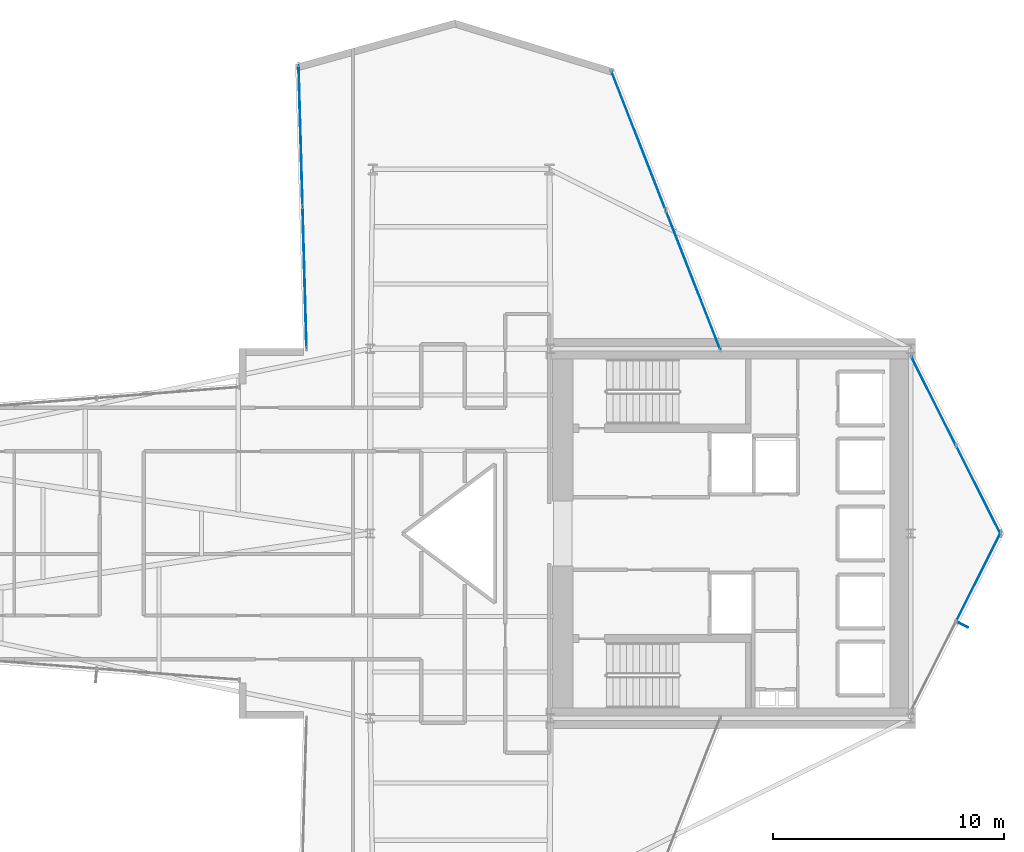
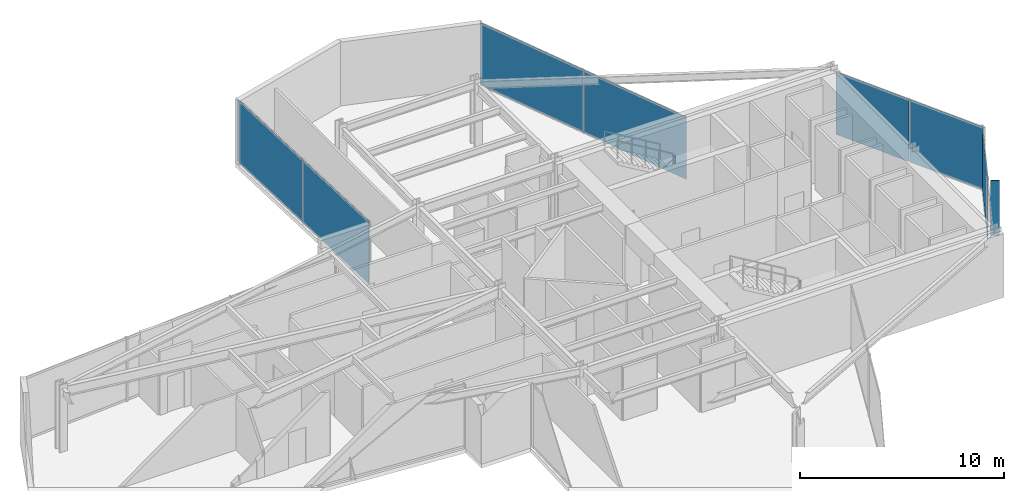
# One storey, part 26 of 30: 8 plates, 4 elements without a shape of their own.
"""IFC4 building model written with IfcOpenShell, lengths in metres."""

from ifc_helpers import new_model, si_unit, direction, frame, origin, origin_2d, place, context, subcontext, project, spatial, rectangle, extrude, material, layer, layer_set, type_object, element, aggregate, save


model = new_model("IFC4")

# Units and contexts
model_context = context("Model", 3, precision=1e-05, world=origin(), true_north=direction((0.0, 1.0)))
body_context = subcontext(model_context, "Body", "Model", "MODEL_VIEW")
ifc_project = project(units=[si_unit("LENGTHUNIT", "METRE"), si_unit("AREAUNIT", "SQUARE_METRE"), si_unit("VOLUMEUNIT", "CUBIC_METRE"), si_unit("PLANEANGLEUNIT", "RADIAN"), si_unit("MASSUNIT", "GRAM", prefix="KILO")], contexts=[model_context])

# Site, building, storey
site_placement = place(None, origin())
site = spatial("IfcSite", under=ifc_project, at=site_placement, CompositionType="ELEMENT")
building_placement = place(site_placement, origin())
building = spatial("IfcBuilding", under=site, at=building_placement, Name="Veymaron Broadcast Tower", CompositionType="ELEMENT")
storey_placement = place(building_placement, frame((0.0, 0.0, 54.0)))
storey = spatial("IfcBuildingStorey", under=building, at=storey_placement, Name="L11", CompositionType="ELEMENT", Elevation=54.0)

# Curtain wall, plate
ifc_material_1 = material(Name="Anodised aluminium AA 6063-T6 and laminated low-E dark glass", Category="aluminium")
ifc_layer_1 = layer(ifc_material_1, 0.179931640625)
ifc_layer_set_1 = layer_set([ifc_layer_1], Name="Anodised aluminium AA 6063-T6 and laminated low-E dark glass")
curtain_wall_type = type_object("IfcCurtainWallType", Name="CW-SYS-02", PredefinedType="NOTDEFINED", material=ifc_layer_set_1)
curtain_wall_1_placement = place(storey_placement, origin())
curtain_wall_1 = element("IfcCurtainWall", 1, at=curtain_wall_1_placement, inside=storey, type_object=curtain_wall_type, Name="L11 dark-glass curtain wall CW-L11-E2-1", PredefinedType="NOTDEFINED")
ifc_material_2 = material(Name="Double-silver solar-control dark glass IGU 32 mm", Category="glass")
ifc_layer_2 = layer(ifc_material_2, 0.031982421875)
ifc_layer_set_2 = layer_set([ifc_layer_2], Name="Double-silver solar-control dark glass IGU 32 mm")
plate_type_1 = type_object("IfcPlateType", Name="CW-PNL-02", PredefinedType="CURTAIN_PANEL", material=ifc_layer_set_2)
plate_1_placement = place(storey_placement, frame((57.53125, 22.126953125, 0.0400390625), z_axis=(0.0, 0.0, 1.0), x_axis=(0.450067269918, 0.892994654267, 0.0)))
plate_1 = element("IfcPlate", 2, at=plate_1_placement, type_object=plate_type_1, Name="CW-L11-E2-1 unitised curtain panel 1", PredefinedType="CURTAIN_PANEL", context=body_context, shape_type="SweptSolid", body=[
    extrude(rectangle(XDim=4.276123046875, YDim=0.031982421875, at=origin_2d()), origin(), (0.0, 0.0, 1.0), 3.72998046875),
])
aggregate(curtain_wall_1, [plate_1])

# Curtain wall, plates
curtain_wall_2_placement = place(storey_placement, origin())
curtain_wall_2 = element("IfcCurtainWall", 3, at=curtain_wall_2_placement, inside=storey, type_object=curtain_wall_type, Name="L11 dark-glass curtain wall CW-L11-E3-1", PredefinedType="NOTDEFINED")
plate_2_placement = place(storey_placement, frame((57.53125, 25.873046875, 0.0400390625), z_axis=(0.0, 0.0, 1.0), x_axis=(-0.450067269918, 0.892994654267, 0.0)))
plate_2 = element("IfcPlate", 4, at=plate_2_placement, type_object=plate_type_1, Name="CW-L11-E3-1 unitised curtain panel 0", PredefinedType="CURTAIN_PANEL", context=body_context, shape_type="SweptSolid", body=[
    extrude(rectangle(XDim=4.276123046875, YDim=0.031982421875, at=origin_2d()), origin(), (0.0, 0.0, 1.0), 3.72998046875),
])
plate_3_placement = place(storey_placement, frame((55.57958984375, 29.7451171875, 0.0400390625), z_axis=(0.0, 0.0, 1.0), x_axis=(-0.450067269918, 0.892994654267, 0.0)))
plate_3 = element("IfcPlate", 5, at=plate_3_placement, type_object=plate_type_1, Name="CW-L11-E3-1 unitised curtain panel 1", PredefinedType="CURTAIN_PANEL", context=body_context, shape_type="SweptSolid", body=[
    extrude(rectangle(XDim=4.276123046875, YDim=0.031982421875, at=origin_2d()), origin(), (0.0, 0.0, 1.0), 3.72998046875),
])
aggregate(curtain_wall_2, [plate_2, plate_3])

curtain_wall_3_placement = place(storey_placement, origin())
curtain_wall_3 = element("IfcCurtainWall", 6, at=curtain_wall_3_placement, inside=storey, type_object=curtain_wall_type, Name="L11 dark-glass curtain wall CW-L11-E5-1", PredefinedType="NOTDEFINED")
plate_4_placement = place(storey_placement, frame((45.173095703125, 34.97509765625, 0.0400390625), z_axis=(0.0, 0.0, 1.0), x_axis=(-0.36429171273, 0.931284890909, 0.0)))
plate_4 = element("IfcPlate", 7, at=plate_4_placement, type_object=plate_type_1, Name="CW-L11-E5-1 unitised curtain panel 0", PredefinedType="CURTAIN_PANEL", context=body_context, shape_type="SweptSolid", body=[
    extrude(rectangle(XDim=6.4384765625, YDim=0.031982421875, at=origin_2d()), origin(), (0.0, 0.0, 1.0), 3.72998046875),
])
plate_5_placement = place(storey_placement, frame((42.8056640625, 41.027099609375, 0.0400390625), z_axis=(0.0, 0.0, 1.0), x_axis=(-0.36429171273, 0.931284890909, 0.0)))
plate_5 = element("IfcPlate", 8, at=plate_5_placement, type_object=plate_type_1, Name="CW-L11-E5-1 unitised curtain panel 1", PredefinedType="CURTAIN_PANEL", context=body_context, shape_type="SweptSolid", body=[
    extrude(rectangle(XDim=6.4384765625, YDim=0.031982421875, at=origin_2d()), origin(), (0.0, 0.0, 1.0), 3.72998046875),
])
aggregate(curtain_wall_3, [plate_4, plate_5])

curtain_wall_4_placement = place(storey_placement, origin())
curtain_wall_4 = element("IfcCurtainWall", 9, at=curtain_wall_4_placement, inside=storey, type_object=curtain_wall_type, Name="L11 dark-glass curtain wall CW-L11-E8-1", PredefinedType="NOTDEFINED")
plate_6_placement = place(storey_placement, frame((28.18603515625, 41.225830078125, 0.0400390625), z_axis=(0.0, 0.0, 1.0), x_axis=(0.028113549573, -0.999604736048, 0.0)))
plate_6 = element("IfcPlate", 10, at=plate_6_placement, type_object=plate_type_1, Name="CW-L11-E8-1 unitised curtain panel 0", PredefinedType="CURTAIN_PANEL", context=body_context, shape_type="SweptSolid", body=[
    extrude(rectangle(XDim=6.09033203125, YDim=0.031982421875, at=origin_2d()), origin(), (0.0, 0.0, 1.0), 3.72998046875),
])
plate_7_placement = place(storey_placement, frame((28.35888671875, 35.077880859375, 0.0400390625), z_axis=(0.0, 0.0, 1.0), x_axis=(0.028113549573, -0.999604736048, 0.0)))
plate_7 = element("IfcPlate", 11, at=plate_7_placement, type_object=plate_type_1, Name="CW-L11-E8-1 unitised curtain panel 1", PredefinedType="CURTAIN_PANEL", context=body_context, shape_type="SweptSolid", body=[
    extrude(rectangle(XDim=6.09033203125, YDim=0.031982421875, at=origin_2d()), origin(), (0.0, 0.0, 1.0), 3.72998046875),
])
aggregate(curtain_wall_4, [plate_6, plate_7])

# Plate
ifc_material_3 = material(Name="Dark-anodised aluminium AA 6061-T6", Category="aluminium")
ifc_layer_3 = layer(ifc_material_3, 0.034912109375)
ifc_layer_set_3 = layer_set([ifc_layer_3], Name="Dark-anodised aluminium AA 6061-T6")
plate_type_2 = type_object("IfcPlateType", Name="FIN-CHEV-01", PredefinedType="USERDEFINED", material=ifc_layer_set_3)
plate_8_placement = place(storey_placement, frame((56.87255859375, 20.031005859375, 0.2666015625), z_axis=(0.0, 0.0, 1.0), x_axis=(0.892994654267, -0.450067269918, 0.0)))
element("IfcPlate", 12, at=plate_8_placement, inside=storey, type_object=plate_type_2, Name="CW-L11-E2-1 chevron fin 1", ObjectType="FIN", PredefinedType="USERDEFINED", context=body_context, shape_type="SweptSolid", body=[
    extrude(rectangle(XDim=0.449951171875, YDim=0.034912109375, at=origin_2d()), origin(), (0.0, 0.0, 1.0), 3.276611328125),
])

save(model, "model.ifc")
